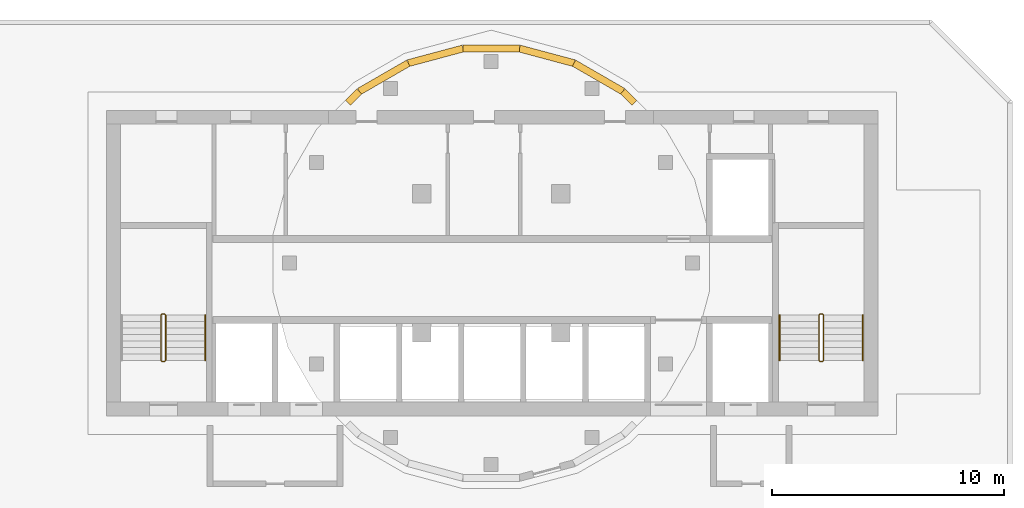
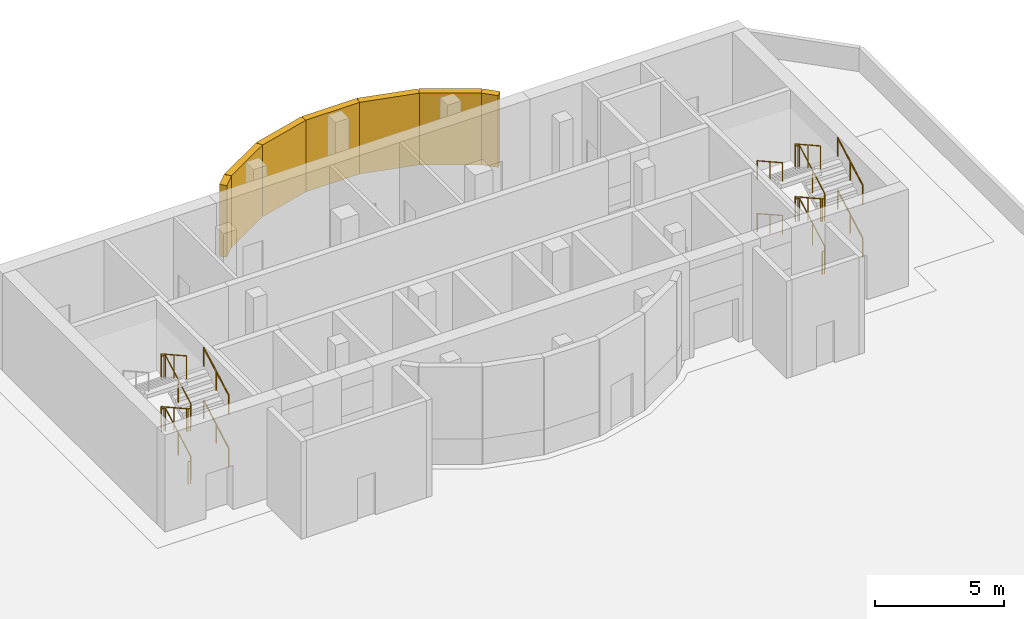
# One storey, part 7 of 7: 8 railings, 7 shading devices.
"""IFC4 building model written with IfcOpenShell, lengths in metres."""

from ifc_helpers import new_model, si_unit, direction, frame, origin, origin_2d, place, context, subcontext, project, spatial, rectangle, circle, extrude, source, transform, mapped, material, type_object, element, save


model = new_model("IFC4")

# Units and contexts
model_context = context("Model", 3, precision=1e-05, world=origin(), true_north=direction((0.0, 1.0)))
body_context = subcontext(model_context, "Body", "Model", "MODEL_VIEW")
ifc_project = project(units=[si_unit("LENGTHUNIT", "METRE"), si_unit("AREAUNIT", "SQUARE_METRE"), si_unit("VOLUMEUNIT", "CUBIC_METRE"), si_unit("PLANEANGLEUNIT", "RADIAN"), si_unit("MASSUNIT", "GRAM", prefix="KILO")], contexts=[model_context])

# Site, building, storey
site_placement = place(None, origin())
site = spatial("IfcSite", under=ifc_project, at=site_placement, CompositionType="ELEMENT")
building_placement = place(site_placement, origin())
building = spatial("IfcBuilding", under=site, at=building_placement, Name="Kilnfold Tower and Market Hall", CompositionType="ELEMENT")
storey_placement = place(building_placement, frame((0.0, 0.0, 318.800048828125)))
storey = spatial("IfcBuildingStorey", under=building, at=storey_placement, Name="L80 Crown Plant", CompositionType="ELEMENT", Elevation=318.800048828125)

# Railings
ifc_material_1 = material(Name="Stainless steel 316", Category="steel")
railing_type_1 = type_object("IfcRailingType", Name="CORE STAIR GUARD 1100", PredefinedType="GUARDRAIL", material=ifc_material_1)
railing_1_placement = place(storey_placement, frame((-13.199951171875, 10.75, 0.0)))
element("IfcRailing", 1, at=railing_1_placement, inside=storey, type_object=railing_type_1, Name="L80 Crown Plant ST1 stair guard 1", PredefinedType="GUARDRAIL", context=body_context, shape_type="SweptSolid", body=[
    extrude(circle(Radius=0.02392578125, at=origin_2d()), frame((0.0, 0.0, 1.076171875), z_axis=(1.0, 0.0, 0.0), x_axis=(0.0, 1.0, 0.0)), (0.0, 0.0, 1.0), 0.099853515625),
    extrude(circle(Radius=0.02392578125, at=origin_2d()), frame((0.099853515625, 0.0, 1.076171875), z_axis=(0.29177245553, 0.29177245553, 0.91089937336), x_axis=(-0.707106781187, 0.707106781187, 0.0)), (0.0, 0.0, 1.0), 0.171630859375),
    extrude(circle(Radius=0.02392578125, at=origin_2d()), frame((0.14990234375, 0.050048828125, 1.232421875), z_axis=(0.0, 0.873232148454, 0.487304437602), x_axis=(-1.0, 0.0, 0.0)), (0.0, 0.0, 1.0), 2.244384765625),
    extrude(circle(Radius=0.02392578125, at=origin_2d()), frame((0.14990234375, 2.010009765625, 2.326171875), z_axis=(-0.707106781187, 0.707106781187, 0.0), x_axis=(-0.707106781187, -0.707106781187, 0.0)), (0.0, 0.0, 1.0), 0.07080078125),
    extrude(circle(Radius=0.02392578125, at=origin_2d()), frame((0.099853515625, 2.06005859375, 2.326171875), z_axis=(-1.0, 0.0, 0.0), x_axis=(0.0, -1.0, 0.0)), (0.0, 0.0, 1.0), 0.099853515625),
    extrude(circle(Radius=0.02392578125, at=origin_2d()), frame((0.0, 2.06005859375, 2.326171875), z_axis=(-0.29177245553, -0.29177245553, 0.91089937336), x_axis=(0.707106781187, -0.707106781187, 0.0)), (0.0, 0.0, 1.0), 0.171630859375),
    extrude(circle(Radius=0.02392578125, at=origin_2d()), frame((-0.050048828125, 2.010009765625, 2.482421875), z_axis=(0.0, -0.873232148454, 0.487304437602), x_axis=(1.0, 0.0, 0.0)), (0.0, 0.0, 1.0), 2.244384765625),
    extrude(circle(Radius=0.02392578125, at=origin_2d()), frame((-0.050048828125, 0.050048828125, 3.576171875), z_axis=(0.707106781187, -0.707106781187, 0.0), x_axis=(0.707106781187, 0.707106781187, 0.0)), (0.0, 0.0, 1.0), 0.07080078125),
    extrude(circle(Radius=0.02392578125, at=origin_2d()), frame((0.0, 0.0, 3.576171875), z_axis=(1.0, 0.0, 0.0), x_axis=(0.0, 1.0, 0.0)), (0.0, 0.0, 1.0), 0.099853515625),
    extrude(circle(Radius=0.02392578125, at=origin_2d()), frame((0.099853515625, 0.0, 3.576171875), z_axis=(0.29177245553, 0.29177245553, 0.91089937336), x_axis=(-0.707106781187, 0.707106781187, 0.0)), (0.0, 0.0, 1.0), 0.171630859375),
    extrude(circle(Radius=0.02392578125, at=origin_2d()), frame((0.14990234375, 0.050048828125, 3.732421875), z_axis=(0.0, 0.873232148454, 0.487304437602), x_axis=(-1.0, 0.0, 0.0)), (0.0, 0.0, 1.0), 2.244384765625),
    extrude(circle(Radius=0.02392578125, at=origin_2d()), frame((0.14990234375, 2.010009765625, 4.826171875), z_axis=(-0.707106781187, 0.707106781187, 0.0), x_axis=(-0.707106781187, -0.707106781187, 0.0)), (0.0, 0.0, 1.0), 0.07080078125),
    extrude(circle(Radius=0.02392578125, at=origin_2d()), frame((0.099853515625, 2.06005859375, 4.826171875), z_axis=(-1.0, 0.0, 0.0), x_axis=(0.0, -1.0, 0.0)), (0.0, 0.0, 1.0), 0.099853515625),
    extrude(circle(Radius=0.02392578125, at=origin_2d()), frame((0.0, 2.06005859375, 4.826171875), z_axis=(-0.29177245553, -0.29177245553, 0.91089937336), x_axis=(0.707106781187, -0.707106781187, 0.0)), (0.0, 0.0, 1.0), 0.171630859375),
    extrude(circle(Radius=0.02392578125, at=origin_2d()), frame((-0.050048828125, 2.010009765625, 4.982421875), z_axis=(0.0, -0.873232148454, 0.487304437602), x_axis=(1.0, 0.0, 0.0)), (0.0, 0.0, 1.0), 2.244384765625),
    extrude(circle(Radius=0.02099609375, at=origin_2d()), origin(), (0.0, 0.0, 1.0), 1.052001953125),
    extrude(circle(Radius=0.02099609375, at=origin_2d()), frame((0.099853515625, 0.0, 0.0)), (0.0, 0.0, 1.0), 1.052001953125),
    extrude(circle(Radius=0.02099609375, at=origin_2d()), frame((0.14990234375, 0.050048828125, 0.15625)), (0.0, 0.0, 1.0), 1.052001953125),
    extrude(circle(Radius=0.02099609375, at=origin_2d()), frame((0.14990234375, 1.030029296875, 0.703125)), (0.0, 0.0, 1.0), 1.052001953125),
    extrude(circle(Radius=0.02099609375, at=origin_2d()), frame((0.14990234375, 2.010009765625, 1.25)), (0.0, 0.0, 1.0), 1.052001953125),
    extrude(circle(Radius=0.02099609375, at=origin_2d()), frame((0.099853515625, 2.06005859375, 1.25)), (0.0, 0.0, 1.0), 1.052001953125),
    extrude(circle(Radius=0.02099609375, at=origin_2d()), frame((0.0, 2.06005859375, 1.25)), (0.0, 0.0, 1.0), 1.052001953125),
    extrude(circle(Radius=0.02099609375, at=origin_2d()), frame((-0.050048828125, 2.010009765625, 1.40625)), (0.0, 0.0, 1.0), 1.052001953125),
    extrude(circle(Radius=0.02099609375, at=origin_2d()), frame((-0.050048828125, 1.030029296875, 1.953125)), (0.0, 0.0, 1.0), 1.052001953125),
    extrude(circle(Radius=0.02099609375, at=origin_2d()), frame((-0.050048828125, 0.050048828125, 2.5)), (0.0, 0.0, 1.0), 1.052001953125),
    extrude(circle(Radius=0.02099609375, at=origin_2d()), frame((0.0, 0.0, 2.5)), (0.0, 0.0, 1.0), 1.052001953125),
    extrude(circle(Radius=0.02099609375, at=origin_2d()), frame((0.099853515625, 0.0, 2.5)), (0.0, 0.0, 1.0), 1.052001953125),
    extrude(circle(Radius=0.02099609375, at=origin_2d()), frame((0.14990234375, 0.050048828125, 2.65625)), (0.0, 0.0, 1.0), 1.052001953125),
    extrude(circle(Radius=0.02099609375, at=origin_2d()), frame((0.14990234375, 1.030029296875, 3.203125)), (0.0, 0.0, 1.0), 1.052001953125),
    extrude(circle(Radius=0.02099609375, at=origin_2d()), frame((0.14990234375, 2.010009765625, 3.75)), (0.0, 0.0, 1.0), 1.052001953125),
    extrude(circle(Radius=0.02099609375, at=origin_2d()), frame((0.099853515625, 2.06005859375, 3.75)), (0.0, 0.0, 1.0), 1.052001953125),
    extrude(circle(Radius=0.02099609375, at=origin_2d()), frame((0.0, 2.06005859375, 3.75)), (0.0, 0.0, 1.0), 1.052001953125),
    extrude(circle(Radius=0.02099609375, at=origin_2d()), frame((-0.050048828125, 2.010009765625, 3.90625)), (0.0, 0.0, 1.0), 1.052001953125),
    extrude(circle(Radius=0.02099609375, at=origin_2d()), frame((-0.050048828125, 1.030029296875, 4.453125)), (0.0, 0.0, 1.0), 1.052001953125),
    extrude(circle(Radius=0.02099609375, at=origin_2d()), frame((-0.050048828125, 0.050048828125, 5.0)), (0.0, 0.0, 1.0), 1.052001953125),
])
railing_2_placement = place(storey_placement, frame((15.199951171875, 10.75, 0.0)))
element("IfcRailing", 2, at=railing_2_placement, inside=storey, type_object=railing_type_1, Name="L80 Crown Plant ST2 stair guard 1", PredefinedType="GUARDRAIL", context=body_context, shape_type="SweptSolid", body=[
    extrude(circle(Radius=0.02392578125, at=origin_2d()), frame((0.0, 0.0, 1.076171875), z_axis=(1.0, 0.0, 0.0), x_axis=(0.0, 1.0, 0.0)), (0.0, 0.0, 1.0), 0.10009765625),
    extrude(circle(Radius=0.02392578125, at=origin_2d()), frame((0.10009765625, 0.0, 1.076171875), z_axis=(0.29177245553, 0.29177245553, 0.91089937336), x_axis=(-0.707106781187, 0.707106781187, 0.0)), (0.0, 0.0, 1.0), 0.171630859375),
    extrude(circle(Radius=0.02392578125, at=origin_2d()), frame((0.150146484375, 0.050048828125, 1.232421875), z_axis=(0.0, 0.873232148454, 0.487304437602), x_axis=(-1.0, 0.0, 0.0)), (0.0, 0.0, 1.0), 2.244384765625),
    extrude(circle(Radius=0.02392578125, at=origin_2d()), frame((0.150146484375, 2.010009765625, 2.326171875), z_axis=(-0.707106781187, 0.707106781187, 0.0), x_axis=(-0.707106781187, -0.707106781187, 0.0)), (0.0, 0.0, 1.0), 0.07080078125),
    extrude(circle(Radius=0.02392578125, at=origin_2d()), frame((0.10009765625, 2.06005859375, 2.326171875), z_axis=(-1.0, 0.0, 0.0), x_axis=(0.0, -1.0, 0.0)), (0.0, 0.0, 1.0), 0.10009765625),
    extrude(circle(Radius=0.02392578125, at=origin_2d()), frame((0.0, 2.06005859375, 2.326171875), z_axis=(-0.29177245553, -0.29177245553, 0.91089937336), x_axis=(0.707106781187, -0.707106781187, 0.0)), (0.0, 0.0, 1.0), 0.171630859375),
    extrude(circle(Radius=0.02392578125, at=origin_2d()), frame((-0.050048828125, 2.010009765625, 2.482421875), z_axis=(0.0, -0.873232148454, 0.487304437602), x_axis=(1.0, 0.0, 0.0)), (0.0, 0.0, 1.0), 2.244384765625),
    extrude(circle(Radius=0.02392578125, at=origin_2d()), frame((-0.050048828125, 0.050048828125, 3.576171875), z_axis=(0.707106781187, -0.707106781187, 0.0), x_axis=(0.707106781187, 0.707106781187, 0.0)), (0.0, 0.0, 1.0), 0.07080078125),
    extrude(circle(Radius=0.02392578125, at=origin_2d()), frame((0.0, 0.0, 3.576171875), z_axis=(1.0, 0.0, 0.0), x_axis=(0.0, 1.0, 0.0)), (0.0, 0.0, 1.0), 0.10009765625),
    extrude(circle(Radius=0.02392578125, at=origin_2d()), frame((0.10009765625, 0.0, 3.576171875), z_axis=(0.29177245553, 0.29177245553, 0.91089937336), x_axis=(-0.707106781187, 0.707106781187, 0.0)), (0.0, 0.0, 1.0), 0.171630859375),
    extrude(circle(Radius=0.02392578125, at=origin_2d()), frame((0.150146484375, 0.050048828125, 3.732421875), z_axis=(0.0, 0.873232148454, 0.487304437602), x_axis=(-1.0, 0.0, 0.0)), (0.0, 0.0, 1.0), 2.244384765625),
    extrude(circle(Radius=0.02392578125, at=origin_2d()), frame((0.150146484375, 2.010009765625, 4.826171875), z_axis=(-0.707106781187, 0.707106781187, 0.0), x_axis=(-0.707106781187, -0.707106781187, 0.0)), (0.0, 0.0, 1.0), 0.07080078125),
    extrude(circle(Radius=0.02392578125, at=origin_2d()), frame((0.10009765625, 2.06005859375, 4.826171875), z_axis=(-1.0, 0.0, 0.0), x_axis=(0.0, -1.0, 0.0)), (0.0, 0.0, 1.0), 0.10009765625),
    extrude(circle(Radius=0.02392578125, at=origin_2d()), frame((0.0, 2.06005859375, 4.826171875), z_axis=(-0.29177245553, -0.29177245553, 0.91089937336), x_axis=(0.707106781187, -0.707106781187, 0.0)), (0.0, 0.0, 1.0), 0.171630859375),
    extrude(circle(Radius=0.02392578125, at=origin_2d()), frame((-0.050048828125, 2.010009765625, 4.982421875), z_axis=(0.0, -0.873232148454, 0.487304437602), x_axis=(1.0, 0.0, 0.0)), (0.0, 0.0, 1.0), 2.244384765625),
    extrude(circle(Radius=0.02099609375, at=origin_2d()), origin(), (0.0, 0.0, 1.0), 1.052001953125),
    extrude(circle(Radius=0.02099609375, at=origin_2d()), frame((0.10009765625, 0.0, 0.0)), (0.0, 0.0, 1.0), 1.052001953125),
    extrude(circle(Radius=0.02099609375, at=origin_2d()), frame((0.150146484375, 0.050048828125, 0.15625)), (0.0, 0.0, 1.0), 1.052001953125),
    extrude(circle(Radius=0.02099609375, at=origin_2d()), frame((0.150146484375, 1.030029296875, 0.703125)), (0.0, 0.0, 1.0), 1.052001953125),
    extrude(circle(Radius=0.02099609375, at=origin_2d()), frame((0.150146484375, 2.010009765625, 1.25)), (0.0, 0.0, 1.0), 1.052001953125),
    extrude(circle(Radius=0.02099609375, at=origin_2d()), frame((0.10009765625, 2.06005859375, 1.25)), (0.0, 0.0, 1.0), 1.052001953125),
    extrude(circle(Radius=0.02099609375, at=origin_2d()), frame((0.0, 2.06005859375, 1.25)), (0.0, 0.0, 1.0), 1.052001953125),
    extrude(circle(Radius=0.02099609375, at=origin_2d()), frame((-0.050048828125, 2.010009765625, 1.40625)), (0.0, 0.0, 1.0), 1.052001953125),
    extrude(circle(Radius=0.02099609375, at=origin_2d()), frame((-0.050048828125, 1.030029296875, 1.953125)), (0.0, 0.0, 1.0), 1.052001953125),
    extrude(circle(Radius=0.02099609375, at=origin_2d()), frame((-0.050048828125, 0.050048828125, 2.5)), (0.0, 0.0, 1.0), 1.052001953125),
    extrude(circle(Radius=0.02099609375, at=origin_2d()), frame((0.0, 0.0, 2.5)), (0.0, 0.0, 1.0), 1.052001953125),
    extrude(circle(Radius=0.02099609375, at=origin_2d()), frame((0.10009765625, 0.0, 2.5)), (0.0, 0.0, 1.0), 1.052001953125),
    extrude(circle(Radius=0.02099609375, at=origin_2d()), frame((0.150146484375, 0.050048828125, 2.65625)), (0.0, 0.0, 1.0), 1.052001953125),
    extrude(circle(Radius=0.02099609375, at=origin_2d()), frame((0.150146484375, 1.030029296875, 3.203125)), (0.0, 0.0, 1.0), 1.052001953125),
    extrude(circle(Radius=0.02099609375, at=origin_2d()), frame((0.150146484375, 2.010009765625, 3.75)), (0.0, 0.0, 1.0), 1.052001953125),
    extrude(circle(Radius=0.02099609375, at=origin_2d()), frame((0.10009765625, 2.06005859375, 3.75)), (0.0, 0.0, 1.0), 1.052001953125),
    extrude(circle(Radius=0.02099609375, at=origin_2d()), frame((0.0, 2.06005859375, 3.75)), (0.0, 0.0, 1.0), 1.052001953125),
    extrude(circle(Radius=0.02099609375, at=origin_2d()), frame((-0.050048828125, 2.010009765625, 3.90625)), (0.0, 0.0, 1.0), 1.052001953125),
    extrude(circle(Radius=0.02099609375, at=origin_2d()), frame((-0.050048828125, 1.030029296875, 4.453125)), (0.0, 0.0, 1.0), 1.052001953125),
    extrude(circle(Radius=0.02099609375, at=origin_2d()), frame((-0.050048828125, 0.050048828125, 5.0)), (0.0, 0.0, 1.0), 1.052001953125),
])
ifc_material_2 = material(Name="Stainless steel 316", Category="steel")
railing_type_2 = type_object("IfcRailingType", Name="CORE STAIR HANDRAIL 900", PredefinedType="HANDRAIL", material=ifc_material_2)
for number, where, name in (
    (3, (-11.35009765625, 10.800048828125, 0.15625), "L80 Crown Plant ST1 stair handrail 1"),
    (4, (-11.35009765625, 10.800048828125, 2.65625), "L80 Crown Plant ST1 stair handrail 3"),
    (5, (17.050048828125, 10.800048828125, 0.15625), "L80 Crown Plant ST2 stair handrail 1"),
):
    element("IfcRailing", number, at=place(storey_placement, frame(where)), inside=storey, type_object=railing_type_2, Name=name, PredefinedType="HANDRAIL", context=body_context, shape_type="SweptSolid", body=[
        extrude(circle(Radius=0.02392578125, at=origin_2d()), frame((0.0, 0.0, 0.8759765625), z_axis=(0.0, 0.873232148454, 0.487304437602), x_axis=(-1.0, 0.0, 0.0)), (0.0, 0.0, 1.0), 2.244384765625),
        extrude(circle(Radius=0.02099609375, at=origin_2d()), origin(), (0.0, 0.0, 1.0), 0.851806640625),
        extrude(circle(Radius=0.02099609375, at=origin_2d()), frame((0.0, 0.97998046875, 0.546875)), (0.0, 0.0, 1.0), 0.851806640625),
        extrude(circle(Radius=0.02099609375, at=origin_2d()), frame((0.0, 1.9599609375, 1.09375)), (0.0, 0.0, 1.0), 0.851806640625),
    ])
railing_3_placement = place(storey_placement, frame((13.449951171875, 12.760009765625, 1.40625)))
element("IfcRailing", 6, at=railing_3_placement, inside=storey, type_object=railing_type_2, Name="L80 Crown Plant ST2 stair handrail 2", PredefinedType="HANDRAIL", context=body_context, shape_type="SweptSolid", body=[
    extrude(circle(Radius=0.02392578125, at=origin_2d()), frame((0.0, 0.0, 0.8759765625), z_axis=(0.0, -0.873232148454, 0.487304437602), x_axis=(1.0, 0.0, 0.0)), (0.0, 0.0, 1.0), 2.244384765625),
    extrude(circle(Radius=0.02099609375, at=origin_2d()), origin(), (0.0, 0.0, 1.0), 0.851806640625),
    extrude(circle(Radius=0.02099609375, at=origin_2d()), frame((0.0, -0.97998046875, 0.546875)), (0.0, 0.0, 1.0), 0.851806640625),
    extrude(circle(Radius=0.02099609375, at=origin_2d()), frame((0.0, -1.9599609375, 1.09375)), (0.0, 0.0, 1.0), 0.851806640625),
])
railing_4_placement = place(storey_placement, frame((17.050048828125, 10.800048828125, 2.65625)))
element("IfcRailing", 7, at=railing_4_placement, inside=storey, type_object=railing_type_2, Name="L80 Crown Plant ST2 stair handrail 3", PredefinedType="HANDRAIL", context=body_context, shape_type="SweptSolid", body=[
    extrude(circle(Radius=0.02392578125, at=origin_2d()), frame((0.0, 0.0, 0.8759765625), z_axis=(0.0, 0.873232148454, 0.487304437602), x_axis=(-1.0, 0.0, 0.0)), (0.0, 0.0, 1.0), 2.244384765625),
    extrude(circle(Radius=0.02099609375, at=origin_2d()), origin(), (0.0, 0.0, 1.0), 0.851806640625),
    extrude(circle(Radius=0.02099609375, at=origin_2d()), frame((0.0, 0.97998046875, 0.546875)), (0.0, 0.0, 1.0), 0.851806640625),
    extrude(circle(Radius=0.02099609375, at=origin_2d()), frame((0.0, 1.9599609375, 1.09375)), (0.0, 0.0, 1.0), 0.851806640625),
])
railing_5_placement = place(storey_placement, frame((13.449951171875, 12.760009765625, 3.90625)))
element("IfcRailing", 8, at=railing_5_placement, inside=storey, type_object=railing_type_2, Name="L80 Crown Plant ST2 stair handrail 4", PredefinedType="HANDRAIL", context=body_context, shape_type="SweptSolid", body=[
    extrude(circle(Radius=0.02392578125, at=origin_2d()), frame((0.0, 0.0, 0.8759765625), z_axis=(0.0, -0.873232148454, 0.487304437602), x_axis=(1.0, 0.0, 0.0)), (0.0, 0.0, 1.0), 2.244384765625),
    extrude(circle(Radius=0.02099609375, at=origin_2d()), origin(), (0.0, 0.0, 1.0), 0.851806640625),
    extrude(circle(Radius=0.02099609375, at=origin_2d()), frame((0.0, -0.97998046875, 0.546875)), (0.0, 0.0, 1.0), 0.851806640625),
    extrude(circle(Radius=0.02099609375, at=origin_2d()), frame((0.0, -1.9599609375, 1.09375)), (0.0, 0.0, 1.0), 0.851806640625),
])

# Shading devices
ifc_material_3 = material(Name="Anodised aluminium", Category="aluminium")
shading_device_type = type_object("IfcShadingDeviceType", Name="LOUVRE", PredefinedType="JALOUSIE", material=ifc_material_3)
shared_shape_1 = source(origin(), body_context, "Body", "SweptSolid", [
    extrude(rectangle(XDim=2.4404296875, YDim=0.300048828125, at=origin_2d()), origin(), (0.0, 0.0, 1.0), 3.39990234375),
])
for number, where, z_axis, x_axis, name in (
    (9, (5.63427734375, 23.027099609375, 1.199951171875), (0.0, 0.0, 1.0), (-0.866021040428, 0.500007557478, 0.0), "Plant louvre L80 11"),
    (10, (3.39892578125, 23.952880859375, 1.199951171875), (0.0, 0.0, 1.0), (-0.965933053504, 0.258792071264, 0.0), "Plant louvre L80 12"),
    (11, (1.0, 24.268798828125, 1.199951171875), (0.0, 0.0, 1.0), (-1.0, 0.0, 0.0), "Plant louvre L80 13"),
    (12, (-1.39892578125, 23.952880859375, 1.199951171875), (0.0, 0.0, 1.0), (-0.965933053504, -0.258792071264, 0.0), "Plant louvre L80 14"),
    (13, (-3.63427734375, 23.027099609375, 1.199951171875), (0.0, 0.0, 1.0), (-0.866021040428, -0.500007557478, 0.0), "Plant louvre L80 15"),
):
    element("IfcShadingDevice", number, at=place(storey_placement, frame(where, z_axis=z_axis, x_axis=x_axis)), inside=storey, type_object=shading_device_type, Name=name, ObjectType="LOUVRE", PredefinedType="JALOUSIE", context=body_context, shape_type="MappedRepresentation", body=[
        mapped(shared_shape_1, transform((0.0, 0.0, 0.0))),
    ])
shared_shape_2 = source(origin(), body_context, "Body", "SweptSolid", [
    extrude(rectangle(XDim=0.697021484375, YDim=0.300048828125, at=origin_2d()), origin(), (0.0, 0.0, 1.0), 3.39990234375),
])
for number, where, z_axis, x_axis, name in (
    (14, (6.9375, 22.17041015625, 1.199951171875), (0.0, 0.0, 1.0), (-0.707106781187, 0.707106781187, 0.0), "Plant louvre L80 10"),
    (15, (-4.9375, 22.17041015625, 1.199951171875), (0.0, 0.0, 1.0), (-0.707106781187, -0.707106781187, 0.0), "Plant louvre L80 16"),
):
    element("IfcShadingDevice", number, at=place(storey_placement, frame(where, z_axis=z_axis, x_axis=x_axis)), inside=storey, type_object=shading_device_type, Name=name, ObjectType="LOUVRE", PredefinedType="JALOUSIE", context=body_context, shape_type="MappedRepresentation", body=[
        mapped(shared_shape_2, transform((0.0, 0.0, 0.0))),
    ])

save(model, "model.ifc")
